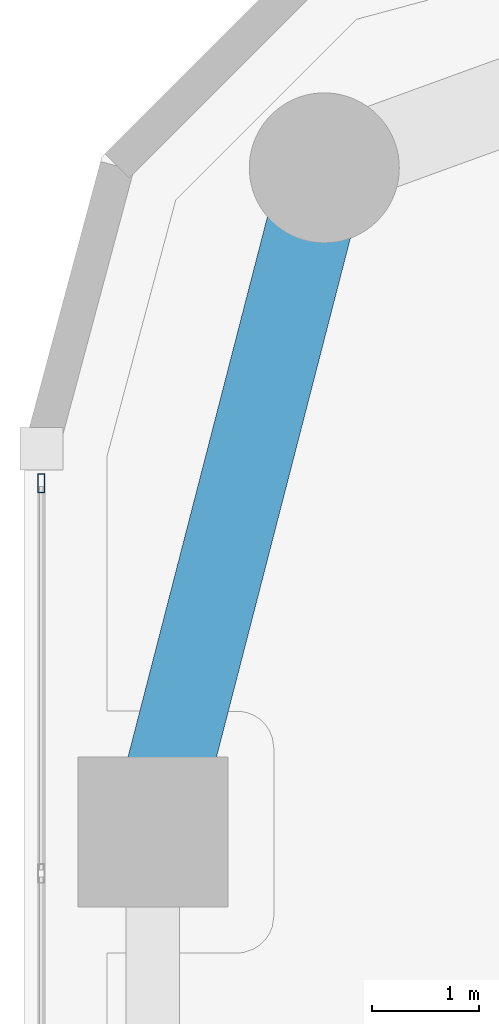
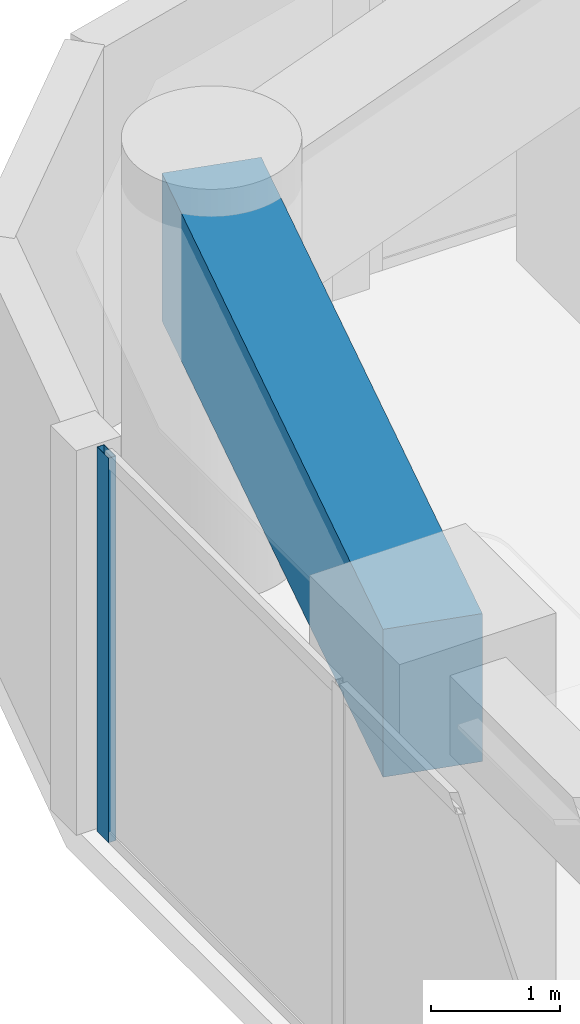
# One storey, part 11 of 24: 1 beam, 1 member, 1 element without a shape of its own.
"""IFC4 building model written with IfcOpenShell, lengths in metres."""

from ifc_helpers import new_model, si_unit, direction, frame, origin, origin_2d, place, context, subcontext, project, spatial, rectangle, hollow_rectangle, extrude, material, layer, layer_set, material_profile, profile_set, type_object, element, aggregate, save


model = new_model("IFC4")

# Units and contexts
model_context = context("Model", 3, precision=1e-05, world=origin(), true_north=direction((0.0, 1.0)))
body_context = subcontext(model_context, "Body", "Model", "MODEL_VIEW")
ifc_project = project(units=[si_unit("LENGTHUNIT", "METRE"), si_unit("AREAUNIT", "SQUARE_METRE"), si_unit("VOLUMEUNIT", "CUBIC_METRE"), si_unit("PLANEANGLEUNIT", "RADIAN"), si_unit("MASSUNIT", "GRAM", prefix="KILO")], contexts=[model_context])

# Site, building, storey
site_placement = place(None, origin())
site = spatial("IfcSite", under=ifc_project, at=site_placement, CompositionType="ELEMENT")
building_placement = place(site_placement, origin())
building = spatial("IfcBuilding", under=site, at=building_placement, Name="Kiyonajd Concourse Tower", CompositionType="ELEMENT")
storey_placement = place(building_placement, frame((0.0, 0.0, 105.300048828125)))
storey = spatial("IfcBuildingStorey", under=building, at=storey_placement, Name="L27", CompositionType="ELEMENT", Elevation=105.300048828125)

# Beam
ifc_material_1 = material(Name="Concrete C60/75", Category="concrete")
ifc_material_profile_1 = material_profile(ifc_material_1, rectangle(XDim=0.800048828125, YDim=1.39990234375, at=origin_2d()), Name="RCBM-800x1400")
ifc_profile_set_1 = profile_set([ifc_material_profile_1], Name="Concrete C60/75")
beam_type = type_object("IfcBeamType", Name="BM-XFER-RC", PredefinedType="BEAM", material=ifc_profile_set_1)
beam_placement = place(storey_placement, frame((20.800048828125, 59.60009765625, 2.93994140625), z_axis=(-0.249884937687, -0.968275538221, 0.0), x_axis=(0.968275538221, -0.249884937687, 0.0)))
element("IfcBeam", 1, at=beam_placement, inside=storey, type_object=beam_type, Name="L27 Perimeter Bundled Tube Spandrel", PredefinedType="BEAM", context=body_context, shape_type="SweptSolid", body=[
    extrude(rectangle(XDim=0.800048828125, YDim=1.39990234375, at=origin_2d()), origin(), (0.0, 0.0, 1.0), 6.4033203125),
])

# Curtain wall, member
ifc_material_2 = material(Name="Thermally Broken Anodised Aluminium", Category="aluminium")
ifc_layer = layer(ifc_material_2, 0.179931640625)
ifc_layer_set = layer_set([ifc_layer], Name="Thermally Broken Anodised Aluminium")
curtain_wall_type = type_object("IfcCurtainWallType", Name="CW-SYS-03", PredefinedType="NOTDEFINED", material=ifc_layer_set)
curtain_wall_placement = place(storey_placement, origin())
curtain_wall = element("IfcCurtainWall", 2, at=curtain_wall_placement, inside=storey, type_object=curtain_wall_type, Name="L27 Unitised Curtain Wall CW3", PredefinedType="NOTDEFINED")
ifc_material_profile_2 = material_profile(ifc_material_2, hollow_rectangle(XDim=0.06494140625, YDim=0.179931640625, WallThickness=0.00390625, at=origin_2d()), Name="MULL-65x180")
ifc_profile_set_2 = profile_set([ifc_material_profile_2], Name="Thermally Broken Anodised Aluminium")
member_type = type_object("IfcMemberType", Name="MB-CW-MULL1", PredefinedType="MULLION", material=ifc_profile_set_2)
member_placement = place(storey_placement, frame((18.159912109375, 56.656494140625, 0.0), z_axis=(0.0, 0.0, 1.0), x_axis=(-1.0, 0.0, 0.0)))
member = element("IfcMember", 3, at=member_placement, type_object=member_type, Name="CW3 mullion 7", PredefinedType="MULLION", context=body_context, shape_type="SweptSolid", body=[
    extrude(hollow_rectangle(XDim=0.06494140625, YDim=0.179931640625, WallThickness=0.00390625, at=origin_2d()), origin(), (0.0, 0.0, 1.0), 3.639892578125),
])
aggregate(curtain_wall, [member])

save(model, "model.ifc")
